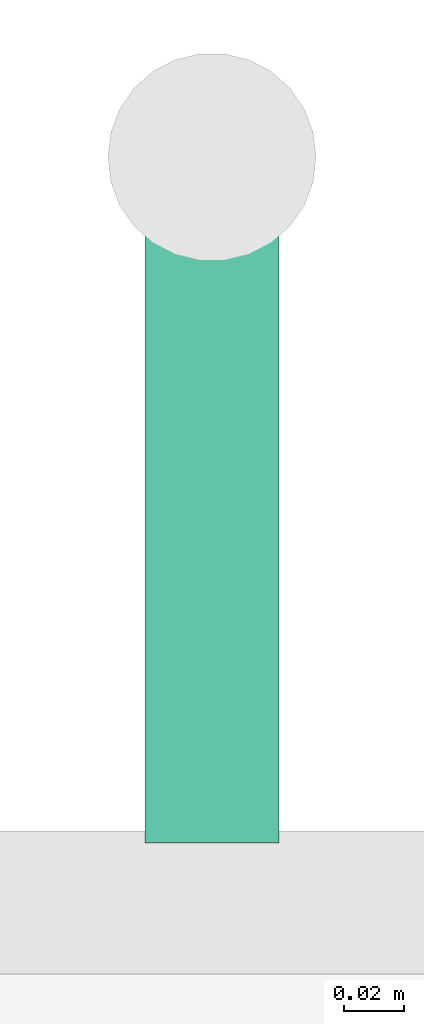
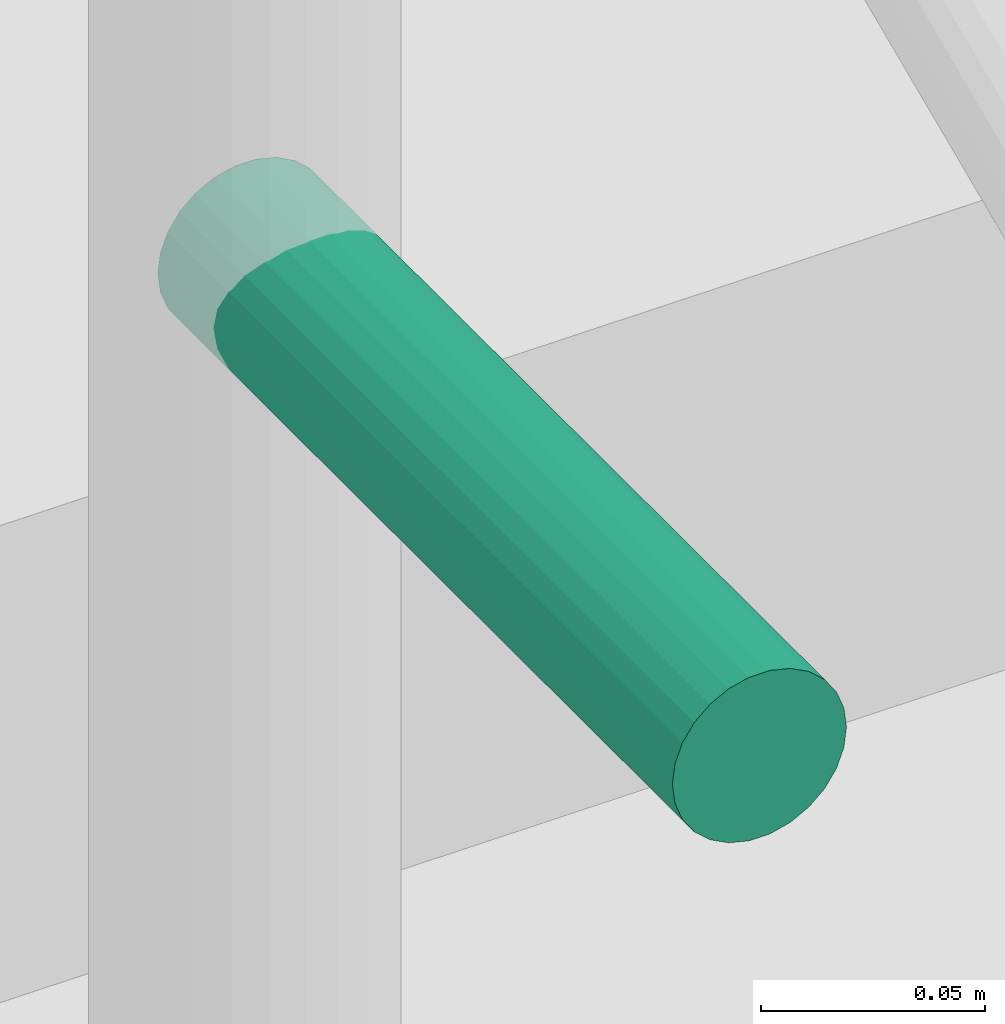
# One storey, part 29 of 31: 1 pipe fitting.
"""IFC4 building model written with IfcOpenShell, lengths in metres."""

from ifc_helpers import new_model, si_unit, direction, frame, origin, origin_2d, place, context, subcontext, project, spatial, circle, extrude, element, save


model = new_model("IFC4")

# Units and contexts
model_context = context("Model", 3, precision=1e-05, world=origin(), true_north=direction((0.0, 1.0)))
body_context = subcontext(model_context, "Body", "Model", "MODEL_VIEW")
ifc_project = project(units=[si_unit("LENGTHUNIT", "METRE"), si_unit("AREAUNIT", "SQUARE_METRE"), si_unit("VOLUMEUNIT", "CUBIC_METRE"), si_unit("PLANEANGLEUNIT", "RADIAN"), si_unit("MASSUNIT", "GRAM", prefix="KILO")], contexts=[model_context])

# Site, building, storey
site_placement = place(None, origin())
site = spatial("IfcSite", under=ifc_project, at=site_placement, CompositionType="ELEMENT")
building_placement = place(site_placement, origin())
building = spatial("IfcBuilding", under=site, at=building_placement, Name="Nzadi Deep Aquarium and Research Tower", CompositionType="ELEMENT")
storey_placement = place(building_placement, frame((0.0, 0.0, 26.699951171875)))
storey = spatial("IfcBuildingStorey", under=building, at=storey_placement, Name="L04", CompositionType="ELEMENT", Elevation=26.699951171875)

# Pipe fitting
pipe_fitting_placement = place(storey_placement, frame((55.300048828125, 68.9599609375, 1.10009765625), z_axis=(0.0, -1.0, 0.0), x_axis=(1.0, 0.0, 0.0)))
element("IfcPipeFitting", 1, at=pipe_fitting_placement, inside=storey, Name="Dry riser outlet ST-Z2-E L04", PredefinedType="EXIT", context=body_context, shape_type="SweptSolid", body=[
    extrude(circle(Radius=0.0224609375, at=origin_2d()), origin(), (0.0, 0.0, 1.0), 0.22998046875),
])

save(model, "model.ifc")
